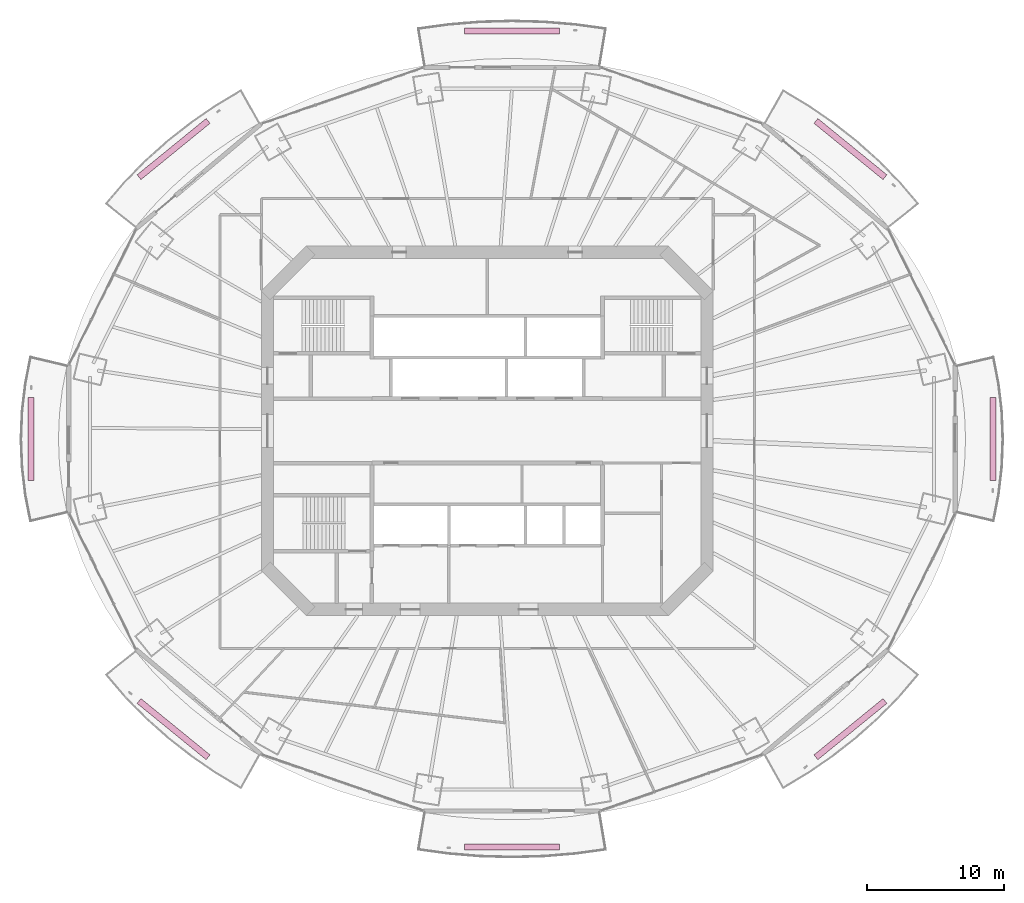
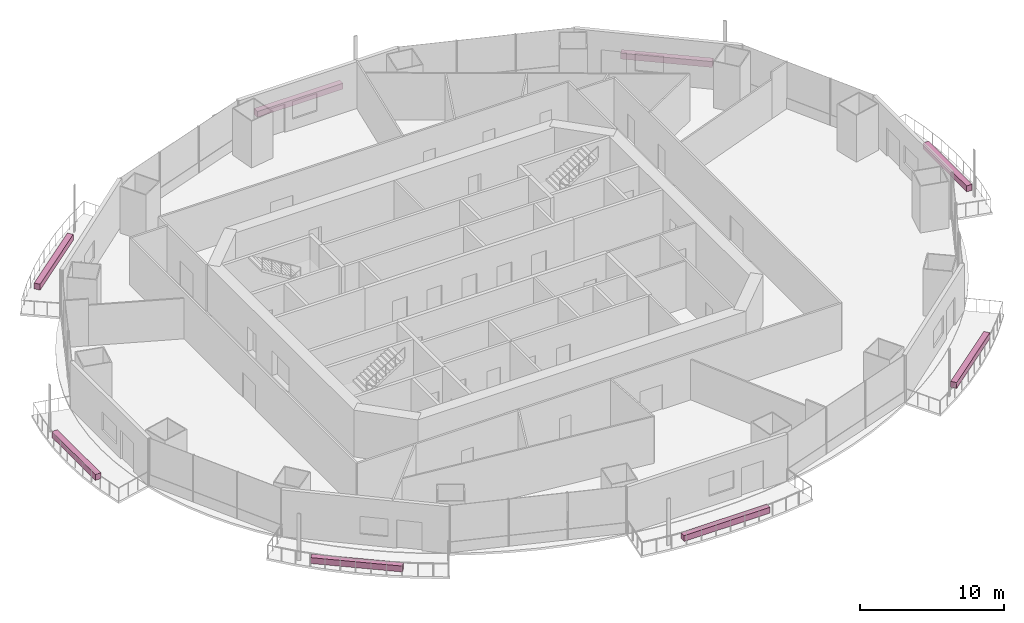
# One storey, part 21 of 21: 8 furnishings.
"""IFC4 building model written with IfcOpenShell, lengths in metres."""

from ifc_helpers import new_model, si_unit, direction, frame, origin, origin_2d, place, context, subcontext, project, spatial, rectangle, extrude, material, type_object, element, save


model = new_model("IFC4")

# Units and contexts
model_context = context("Model", 3, precision=1e-05, world=origin(), true_north=direction((0.0, 1.0)))
body_context = subcontext(model_context, "Body", "Model", "MODEL_VIEW")
ifc_project = project(units=[si_unit("LENGTHUNIT", "METRE"), si_unit("AREAUNIT", "SQUARE_METRE"), si_unit("VOLUMEUNIT", "CUBIC_METRE"), si_unit("PLANEANGLEUNIT", "RADIAN"), si_unit("MASSUNIT", "GRAM", prefix="KILO")], contexts=[model_context])

# Site, building, storey
site_placement = place(None, origin())
site = spatial("IfcSite", under=ifc_project, at=site_placement, CompositionType="ELEMENT")
building_placement = place(site_placement, origin())
building = spatial("IfcBuilding", under=site, at=building_placement, Name="Marenthal Gate Tower", CompositionType="ELEMENT")
storey_placement = place(building_placement, frame((0.0, 0.0, 161.050048828125)))
storey = spatial("IfcBuildingStorey", under=building, at=storey_placement, Name="L34", CompositionType="ELEMENT", Elevation=161.050048828125)

# Furnishings
ifc_material = material(Name="Planting soil and foliage", Category="planting")
furnishing_element_type = type_object("IfcFurnishingElementType", Name="Balcony PLANTER trough", material=ifc_material)
furnishing_1_placement = place(storey_placement, frame((26.439453125, 20.515869140625, -0.0400390625), z_axis=(0.0, 0.0, 1.0), x_axis=(-0.775240196289, 0.631666556071, 0.0)))
element("IfcFurnishingElement", 1, at=furnishing_1_placement, inside=storey, type_object=furnishing_element_type, Name="Balcony PLANTER L34 bay 2", ObjectType="PLANTER", context=body_context, shape_type="SweptSolid", body=[
    extrude(rectangle(XDim=6.4853515625, YDim=0.449951171875, at=origin_2d()), origin(), (0.0, 0.0, 1.0), 0.5),
])
furnishing_2_placement = place(storey_placement, frame((1.800048828125, 29.10693359375, -0.0400390625), z_axis=(0.0, 0.0, 1.0), x_axis=(-1.0, 0.0, 0.0)))
element("IfcFurnishingElement", 2, at=furnishing_2_placement, inside=storey, type_object=furnishing_element_type, Name="Balcony PLANTER L34 bay 4", ObjectType="PLANTER", context=body_context, shape_type="SweptSolid", body=[
    extrude(rectangle(XDim=6.90283203125, YDim=0.449951171875, at=origin_2d()), origin(), (0.0, 0.0, 1.0), 0.5),
])
furnishing_3_placement = place(storey_placement, frame((-22.839599609375, 20.515869140625, -0.0400390625), z_axis=(0.0, 0.0, 1.0), x_axis=(-0.775240196289, -0.631666556071, 0.0)))
element("IfcFurnishingElement", 3, at=furnishing_3_placement, inside=storey, type_object=furnishing_element_type, Name="Balcony PLANTER L34 bay 6", ObjectType="PLANTER", context=body_context, shape_type="SweptSolid", body=[
    extrude(rectangle(XDim=6.4853515625, YDim=0.449951171875, at=origin_2d()), origin(), (0.0, 0.0, 1.0), 0.5),
])
furnishing_4_placement = place(storey_placement, frame((-33.214111328125, -0.60009765625, -0.0400390625), z_axis=(0.0, 0.0, 1.0), x_axis=(0.0, -1.0, 0.0)))
element("IfcFurnishingElement", 4, at=furnishing_4_placement, inside=storey, type_object=furnishing_element_type, Name="Balcony PLANTER L34 bay 8", ObjectType="PLANTER", context=body_context, shape_type="SweptSolid", body=[
    extrude(rectangle(XDim=6.052001953125, YDim=0.449951171875, at=origin_2d()), origin(), (0.0, 0.0, 1.0), 0.5),
])
furnishing_5_placement = place(storey_placement, frame((-22.839599609375, -21.716064453125, -0.0400390625), z_axis=(0.0, 0.0, 1.0), x_axis=(0.775240196289, -0.631666556071, 0.0)))
element("IfcFurnishingElement", 5, at=furnishing_5_placement, inside=storey, type_object=furnishing_element_type, Name="Balcony PLANTER L34 bay 10", ObjectType="PLANTER", context=body_context, shape_type="SweptSolid", body=[
    extrude(rectangle(XDim=6.4853515625, YDim=0.449951171875, at=origin_2d()), origin(), (0.0, 0.0, 1.0), 0.5),
])
furnishing_6_placement = place(storey_placement, frame((1.800048828125, -30.306884765625, -0.0400390625), z_axis=(0.0, 0.0, 1.0), x_axis=(1.0, 0.0, 0.0)))
element("IfcFurnishingElement", 6, at=furnishing_6_placement, inside=storey, type_object=furnishing_element_type, Name="Balcony PLANTER L34 bay 12", ObjectType="PLANTER", context=body_context, shape_type="SweptSolid", body=[
    extrude(rectangle(XDim=6.90283203125, YDim=0.449951171875, at=origin_2d()), origin(), (0.0, 0.0, 1.0), 0.5),
])
furnishing_7_placement = place(storey_placement, frame((26.439453125, -21.716064453125, -0.0400390625), z_axis=(0.0, 0.0, 1.0), x_axis=(0.775240196289, 0.631666556071, 0.0)))
element("IfcFurnishingElement", 7, at=furnishing_7_placement, inside=storey, type_object=furnishing_element_type, Name="Balcony PLANTER L34 bay 14", ObjectType="PLANTER", context=body_context, shape_type="SweptSolid", body=[
    extrude(rectangle(XDim=6.4853515625, YDim=0.449951171875, at=origin_2d()), origin(), (0.0, 0.0, 1.0), 0.5),
])
furnishing_8_placement = place(storey_placement, frame((36.81396484375, -0.60009765625, -0.0400390625), z_axis=(0.0, 0.0, 1.0), x_axis=(0.0, 1.0, 0.0)))
element("IfcFurnishingElement", 8, at=furnishing_8_placement, inside=storey, type_object=furnishing_element_type, Name="Balcony PLANTER L34 bay 16", ObjectType="PLANTER", context=body_context, shape_type="SweptSolid", body=[
    extrude(rectangle(XDim=6.052001953125, YDim=0.449951171875, at=origin_2d()), origin(), (0.0, 0.0, 1.0), 0.5),
])

save(model, "model.ifc")
